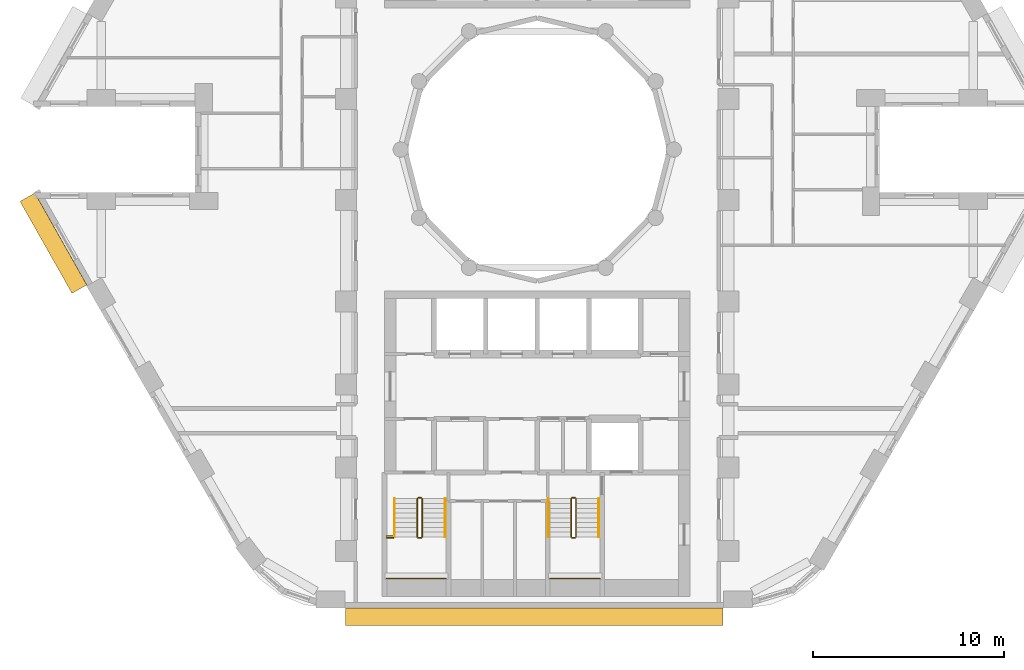
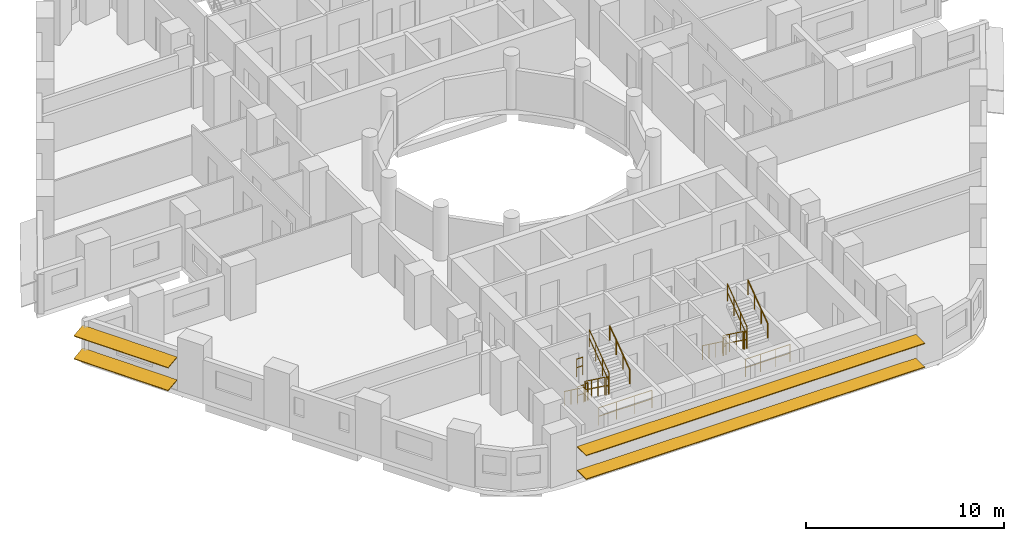
# One storey, part 11 of 13: 16 railings, 4 shading devices.
"""IFC4 building model written with IfcOpenShell, lengths in metres."""

from ifc_helpers import new_model, si_unit, direction, frame, origin, origin_2d, place, context, subcontext, project, spatial, rectangle, circle, extrude, material, material_profile, profile_set, type_object, element, save


model = new_model("IFC4")

# Units and contexts
model_context = context("Model", 3, precision=1e-05, world=origin(), true_north=direction((0.0, 1.0)))
body_context = subcontext(model_context, "Body", "Model", "MODEL_VIEW")
ifc_project = project(units=[si_unit("LENGTHUNIT", "METRE"), si_unit("AREAUNIT", "SQUARE_METRE"), si_unit("VOLUMEUNIT", "CUBIC_METRE"), si_unit("PLANEANGLEUNIT", "RADIAN"), si_unit("MASSUNIT", "GRAM", prefix="KILO")], contexts=[model_context])

# Site, building, storey
site_placement = place(None, origin())
site = spatial("IfcSite", under=ifc_project, at=site_placement, CompositionType="ELEMENT")
building_placement = place(site_placement, origin())
building = spatial("IfcBuilding", under=site, at=building_placement, Name="Nakaniwa Court", CompositionType="ELEMENT")
storey_placement = place(building_placement, frame((0.0, 0.0, 61.199951171875)))
storey = spatial("IfcBuildingStorey", under=building, at=storey_placement, Name="L16", CompositionType="ELEMENT", Elevation=61.199951171875)

# Shading devices
ifc_material_1 = material(Name="Perforated charcoal ceramic louvre blade")
ifc_material_profile = material_profile(ifc_material_1, rectangle(XDim=0.89990234375, YDim=0.050048828125, at=origin_2d()), Name="Perforated ceramic louvre blade")
ifc_profile_set = profile_set([ifc_material_profile], Name="Perforated charcoal ceramic louvre blade")
shading_device_type = type_object("IfcShadingDeviceType", Name="Perforated ceramic louvre blade", PredefinedType="JALOUSIE", material=ifc_profile_set)
for number, where, z_axis, x_axis, name in (
    (1, (53.31689453125, 77.508056640625, 0.550048828125), (0.492342539441, -0.870401530247, 0.0), (0.86275552304, 0.488017576221, 0.132256390257), "L16 perforated ceramic louvre blade w20 1"),
    (2, (53.31689453125, 77.508056640625, 1.955810546875), (0.492342539441, -0.870401530247, 0.0), (0.86275552304, 0.488017576221, 0.132256390257), "L16 perforated ceramic louvre blade w20 2"),
):
    element("IfcShadingDevice", number, at=place(storey_placement, frame(where, z_axis=z_axis, x_axis=x_axis)), inside=storey, type_object=shading_device_type, Name=name, PredefinedType="JALOUSIE", context=body_context, shape_type="SweptSolid", body=[
        extrude(rectangle(XDim=0.89990234375, YDim=0.050048828125, at=origin_2d()), origin(), (0.0, 0.0, 1.0), 5.526611328125),
    ])
for number, where, z_axis, x_axis, name in (
    (3, (69.97119140625, 55.550048828125, 0.550048828125), (1.0, 0.0, 0.0), (0.0, 1.0, 0.0), "L16 perforated ceramic louvre blade w26 1"),
    (4, (69.97119140625, 55.550048828125, 2.01513671875), (1.0, 0.0, 0.0), (0.0, 1.0, 0.0), "L16 perforated ceramic louvre blade w26 2"),
):
    element("IfcShadingDevice", number, at=place(storey_placement, frame(where, z_axis=z_axis, x_axis=x_axis)), inside=storey, type_object=shading_device_type, Name=name, PredefinedType="JALOUSIE", context=body_context, shape_type="SweptSolid", body=[
        extrude(rectangle(XDim=0.89990234375, YDim=0.050048828125, at=origin_2d()), origin(), (0.0, 0.0, 1.0), 19.739990234375),
    ])

# Railings
ifc_material_2 = material(Name="Black powder coated steel guard", Category="steel")
railing_type_1 = type_object("IfcRailingType", Name="Stair guard 1100", PredefinedType="GUARDRAIL", material=ifc_material_2)
railing_1_placement = place(storey_placement, frame((73.72509765625, 61.72509765625, 0.183349609375)))
element("IfcRailing", 5, at=railing_1_placement, inside=storey, type_object=railing_type_1, Name="L16 ST3 stair guard 1", PredefinedType="GUARDRAIL", context=body_context, shape_type="SweptSolid", body=[
    extrude(circle(Radius=0.02392578125, at=origin_2d()), frame((0.0, 0.0, 1.076171875), z_axis=(0.0, -0.806379959628, 0.591397802423), x_axis=(1.0, 0.0, 0.0)), (0.0, 0.0, 1.0), 2.480224609375),
    extrude(circle(Radius=0.02392578125, at=origin_2d()), frame((0.0, 0.0, 0.550048828125), z_axis=(0.0, -0.806379959628, 0.591397802423), x_axis=(1.0, 0.0, 0.0)), (0.0, 0.0, 1.0), 2.480224609375),
    extrude(circle(Radius=0.02099609375, at=origin_2d()), origin(), (0.0, 0.0, 1.0), 1.052001953125),
    extrude(circle(Radius=0.02099609375, at=origin_2d()), frame((0.0, -0.666748046875, 0.489013671875)), (0.0, 0.0, 1.0), 1.052001953125),
    extrude(circle(Radius=0.02099609375, at=origin_2d()), frame((0.0, -1.333251953125, 0.977783203125)), (0.0, 0.0, 1.0), 1.052001953125),
    extrude(circle(Radius=0.02099609375, at=origin_2d()), frame((0.0, -2.0, 1.466796875)), (0.0, 0.0, 1.0), 1.052001953125),
])
railing_2_placement = place(storey_placement, frame((73.77490234375, 59.675048828125, 1.650146484375)))
element("IfcRailing", 6, at=railing_2_placement, inside=storey, type_object=railing_type_1, Name="L16 ST3 stair guard 2", PredefinedType="GUARDRAIL", context=body_context, shape_type="SweptSolid", body=[
    extrude(circle(Radius=0.02392578125, at=origin_2d()), frame((0.0, 0.0, 1.076171875), z_axis=(1.0, 0.0, 0.0), x_axis=(0.0, 1.0, 0.0)), (0.0, 0.0, 1.0), 0.150146484375),
    extrude(circle(Radius=0.02392578125, at=origin_2d()), frame((0.0, 0.0, 0.550048828125), z_axis=(1.0, 0.0, 0.0), x_axis=(0.0, 1.0, 0.0)), (0.0, 0.0, 1.0), 0.150146484375),
    extrude(circle(Radius=0.02099609375, at=origin_2d()), origin(), (0.0, 0.0, 1.0), 1.052001953125),
    extrude(circle(Radius=0.02099609375, at=origin_2d()), frame((0.150146484375, 0.0, 0.0)), (0.0, 0.0, 1.0), 1.052001953125),
])
railing_3_placement = place(storey_placement, frame((73.97509765625, 59.72509765625, 1.83349609375)))
element("IfcRailing", 7, at=railing_3_placement, inside=storey, type_object=railing_type_1, Name="L16 ST3 stair guard 3", PredefinedType="GUARDRAIL", context=body_context, shape_type="SweptSolid", body=[
    extrude(circle(Radius=0.02392578125, at=origin_2d()), frame((0.0, 0.0, 1.076171875), z_axis=(0.0, 0.806426902644, 0.591333789573), x_axis=(-1.0, 0.0, 0.0)), (0.0, 0.0, 1.0), 2.47998046875),
    extrude(circle(Radius=0.02392578125, at=origin_2d()), frame((0.0, 0.0, 0.550048828125), z_axis=(0.0, 0.806426902644, 0.591333789573), x_axis=(-1.0, 0.0, 0.0)), (0.0, 0.0, 1.0), 2.47998046875),
    extrude(circle(Radius=0.02099609375, at=origin_2d()), origin(), (0.0, 0.0, 1.0), 1.052001953125),
    extrude(circle(Radius=0.02099609375, at=origin_2d()), frame((0.0, 0.666748046875, 0.48876953125)), (0.0, 0.0, 1.0), 1.052001953125),
    extrude(circle(Radius=0.02099609375, at=origin_2d()), frame((0.0, 1.333251953125, 0.977783203125)), (0.0, 0.0, 1.0), 1.052001953125),
    extrude(circle(Radius=0.02099609375, at=origin_2d()), frame((0.0, 2.0, 1.466552734375)), (0.0, 0.0, 1.0), 1.052001953125),
])
railing_4_placement = place(storey_placement, frame((73.77490234375, 61.77490234375, 0.0)))
element("IfcRailing", 8, at=railing_4_placement, inside=storey, type_object=railing_type_1, Name="L16 ST3 stair guard 4", PredefinedType="GUARDRAIL", context=body_context, shape_type="SweptSolid", body=[
    extrude(circle(Radius=0.02392578125, at=origin_2d()), frame((0.0, 0.0, 1.076171875), z_axis=(1.0, 0.0, 0.0), x_axis=(0.0, 1.0, 0.0)), (0.0, 0.0, 1.0), 0.150146484375),
    extrude(circle(Radius=0.02392578125, at=origin_2d()), frame((0.0, 0.0, 0.550048828125), z_axis=(1.0, 0.0, 0.0), x_axis=(0.0, 1.0, 0.0)), (0.0, 0.0, 1.0), 0.150146484375),
    extrude(circle(Radius=0.02099609375, at=origin_2d()), origin(), (0.0, 0.0, 1.0), 1.052001953125),
    extrude(circle(Radius=0.02099609375, at=origin_2d()), frame((0.150146484375, 0.0, 0.0)), (0.0, 0.0, 1.0), 1.052001953125),
])
railing_5_placement = place(storey_placement, frame((72.125, 57.550048828125, 1.650146484375)))
element("IfcRailing", 9, at=railing_5_placement, inside=storey, type_object=railing_type_1, Name="L16 ST3 landing end guard 1", PredefinedType="GUARDRAIL", context=body_context, shape_type="SweptSolid", body=[
    extrude(circle(Radius=0.02392578125, at=origin_2d()), frame((0.0, 0.0, 1.076171875), z_axis=(1.0, 0.0, 0.0), x_axis=(0.0, 1.0, 0.0)), (0.0, 0.0, 1.0), 3.10009765625),
    extrude(circle(Radius=0.02392578125, at=origin_2d()), frame((0.0, 0.0, 0.550048828125), z_axis=(1.0, 0.0, 0.0), x_axis=(0.0, 1.0, 0.0)), (0.0, 0.0, 1.0), 3.10009765625),
    extrude(circle(Radius=0.02099609375, at=origin_2d()), origin(), (0.0, 0.0, 1.0), 1.052001953125),
    extrude(circle(Radius=0.02099609375, at=origin_2d()), frame((1.033447265625, 0.0, 0.0)), (0.0, 0.0, 1.0), 1.052001953125),
    extrude(circle(Radius=0.02099609375, at=origin_2d()), frame((2.066650390625, 0.0, 0.0)), (0.0, 0.0, 1.0), 1.052001953125),
    extrude(circle(Radius=0.02099609375, at=origin_2d()), frame((3.10009765625, 0.0, 0.0)), (0.0, 0.0, 1.0), 1.052001953125),
])
for number, where, name in (
    (10, (72.125, 59.675048828125, 1.650146484375), "L16 ST3 landing side guard 1W"),
    (11, (72.125, 59.77490234375, 3.300048828125), "L16 ST3 floor edge guard 1W"),
):
    element("IfcRailing", number, at=place(storey_placement, frame(where)), inside=storey, type_object=railing_type_1, Name=name, PredefinedType="GUARDRAIL", context=body_context, shape_type="SweptSolid", body=[
        extrude(circle(Radius=0.02392578125, at=origin_2d()), frame((0.0, 0.0, 1.076171875), z_axis=(1.0, 0.0, 0.0), x_axis=(0.0, 1.0, 0.0)), (0.0, 0.0, 1.0), 0.35009765625),
        extrude(circle(Radius=0.02392578125, at=origin_2d()), frame((0.0, 0.0, 0.550048828125), z_axis=(1.0, 0.0, 0.0), x_axis=(0.0, 1.0, 0.0)), (0.0, 0.0, 1.0), 0.35009765625),
        extrude(circle(Radius=0.02099609375, at=origin_2d()), origin(), (0.0, 0.0, 1.0), 1.052001953125),
        extrude(circle(Radius=0.02099609375, at=origin_2d()), frame((0.35009765625, 0.0, 0.0)), (0.0, 0.0, 1.0), 1.052001953125),
    ])
railing_6_placement = place(storey_placement, frame((81.77490234375, 61.72509765625, 0.183349609375)))
element("IfcRailing", 12, at=railing_6_placement, inside=storey, type_object=railing_type_1, Name="L16 ST4 stair guard 1", PredefinedType="GUARDRAIL", context=body_context, shape_type="SweptSolid", body=[
    extrude(circle(Radius=0.02392578125, at=origin_2d()), frame((0.0, 0.0, 1.076171875), z_axis=(0.0, -0.806379959628, 0.591397802423), x_axis=(1.0, 0.0, 0.0)), (0.0, 0.0, 1.0), 2.480224609375),
    extrude(circle(Radius=0.02392578125, at=origin_2d()), frame((0.0, 0.0, 0.550048828125), z_axis=(0.0, -0.806379959628, 0.591397802423), x_axis=(1.0, 0.0, 0.0)), (0.0, 0.0, 1.0), 2.480224609375),
    extrude(circle(Radius=0.02099609375, at=origin_2d()), origin(), (0.0, 0.0, 1.0), 1.052001953125),
    extrude(circle(Radius=0.02099609375, at=origin_2d()), frame((0.0, -0.666748046875, 0.489013671875)), (0.0, 0.0, 1.0), 1.052001953125),
    extrude(circle(Radius=0.02099609375, at=origin_2d()), frame((0.0, -1.333251953125, 0.977783203125)), (0.0, 0.0, 1.0), 1.052001953125),
    extrude(circle(Radius=0.02099609375, at=origin_2d()), frame((0.0, -2.0, 1.466796875)), (0.0, 0.0, 1.0), 1.052001953125),
])
railing_7_placement = place(storey_placement, frame((81.824951171875, 59.675048828125, 1.650146484375)))
element("IfcRailing", 13, at=railing_7_placement, inside=storey, type_object=railing_type_1, Name="L16 ST4 stair guard 2", PredefinedType="GUARDRAIL", context=body_context, shape_type="SweptSolid", body=[
    extrude(circle(Radius=0.02392578125, at=origin_2d()), frame((0.0, 0.0, 1.076171875), z_axis=(1.0, 0.0, 0.0), x_axis=(0.0, 1.0, 0.0)), (0.0, 0.0, 1.0), 0.150146484375),
    extrude(circle(Radius=0.02392578125, at=origin_2d()), frame((0.0, 0.0, 0.550048828125), z_axis=(1.0, 0.0, 0.0), x_axis=(0.0, 1.0, 0.0)), (0.0, 0.0, 1.0), 0.150146484375),
    extrude(circle(Radius=0.02099609375, at=origin_2d()), origin(), (0.0, 0.0, 1.0), 1.052001953125),
    extrude(circle(Radius=0.02099609375, at=origin_2d()), frame((0.150146484375, 0.0, 0.0)), (0.0, 0.0, 1.0), 1.052001953125),
])
railing_8_placement = place(storey_placement, frame((82.02490234375, 59.72509765625, 1.83349609375)))
element("IfcRailing", 14, at=railing_8_placement, inside=storey, type_object=railing_type_1, Name="L16 ST4 stair guard 3", PredefinedType="GUARDRAIL", context=body_context, shape_type="SweptSolid", body=[
    extrude(circle(Radius=0.02392578125, at=origin_2d()), frame((0.0, 0.0, 1.076171875), z_axis=(0.0, 0.806426902644, 0.591333789573), x_axis=(-1.0, 0.0, 0.0)), (0.0, 0.0, 1.0), 2.47998046875),
    extrude(circle(Radius=0.02392578125, at=origin_2d()), frame((0.0, 0.0, 0.550048828125), z_axis=(0.0, 0.806426902644, 0.591333789573), x_axis=(-1.0, 0.0, 0.0)), (0.0, 0.0, 1.0), 2.47998046875),
    extrude(circle(Radius=0.02099609375, at=origin_2d()), origin(), (0.0, 0.0, 1.0), 1.052001953125),
    extrude(circle(Radius=0.02099609375, at=origin_2d()), frame((0.0, 0.666748046875, 0.48876953125)), (0.0, 0.0, 1.0), 1.052001953125),
    extrude(circle(Radius=0.02099609375, at=origin_2d()), frame((0.0, 1.333251953125, 0.977783203125)), (0.0, 0.0, 1.0), 1.052001953125),
    extrude(circle(Radius=0.02099609375, at=origin_2d()), frame((0.0, 2.0, 1.466552734375)), (0.0, 0.0, 1.0), 1.052001953125),
])
railing_9_placement = place(storey_placement, frame((81.824951171875, 61.77490234375, 0.0)))
element("IfcRailing", 15, at=railing_9_placement, inside=storey, type_object=railing_type_1, Name="L16 ST4 stair guard 4", PredefinedType="GUARDRAIL", context=body_context, shape_type="SweptSolid", body=[
    extrude(circle(Radius=0.02392578125, at=origin_2d()), frame((0.0, 0.0, 1.076171875), z_axis=(1.0, 0.0, 0.0), x_axis=(0.0, 1.0, 0.0)), (0.0, 0.0, 1.0), 0.150146484375),
    extrude(circle(Radius=0.02392578125, at=origin_2d()), frame((0.0, 0.0, 0.550048828125), z_axis=(1.0, 0.0, 0.0), x_axis=(0.0, 1.0, 0.0)), (0.0, 0.0, 1.0), 0.150146484375),
    extrude(circle(Radius=0.02099609375, at=origin_2d()), origin(), (0.0, 0.0, 1.0), 1.052001953125),
    extrude(circle(Radius=0.02099609375, at=origin_2d()), frame((0.150146484375, 0.0, 0.0)), (0.0, 0.0, 1.0), 1.052001953125),
])
railing_10_placement = place(storey_placement, frame((80.675048828125, 57.550048828125, 1.650146484375)))
element("IfcRailing", 16, at=railing_10_placement, inside=storey, type_object=railing_type_1, Name="L16 ST4 landing end guard 1", PredefinedType="GUARDRAIL", context=body_context, shape_type="SweptSolid", body=[
    extrude(circle(Radius=0.02392578125, at=origin_2d()), frame((0.0, 0.0, 1.076171875), z_axis=(1.0, 0.0, 0.0), x_axis=(0.0, 1.0, 0.0)), (0.0, 0.0, 1.0), 2.599853515625),
    extrude(circle(Radius=0.02392578125, at=origin_2d()), frame((0.0, 0.0, 0.550048828125), z_axis=(1.0, 0.0, 0.0), x_axis=(0.0, 1.0, 0.0)), (0.0, 0.0, 1.0), 2.599853515625),
    extrude(circle(Radius=0.02099609375, at=origin_2d()), origin(), (0.0, 0.0, 1.0), 1.052001953125),
    extrude(circle(Radius=0.02099609375, at=origin_2d()), frame((0.86669921875, 0.0, 0.0)), (0.0, 0.0, 1.0), 1.052001953125),
    extrude(circle(Radius=0.02099609375, at=origin_2d()), frame((1.733154296875, 0.0, 0.0)), (0.0, 0.0, 1.0), 1.052001953125),
    extrude(circle(Radius=0.02099609375, at=origin_2d()), frame((2.599853515625, 0.0, 0.0)), (0.0, 0.0, 1.0), 1.052001953125),
])
ifc_material_3 = material(Name="Black powder coated steel handrail", Category="steel")
railing_type_2 = type_object("IfcRailingType", Name="Stair handrail 900", PredefinedType="HANDRAIL", material=ifc_material_3)
railing_11_placement = place(storey_placement, frame((72.52490234375, 61.72509765625, 0.183349609375)))
element("IfcRailing", 17, at=railing_11_placement, inside=storey, type_object=railing_type_2, Name="L16 ST3 stair handrail 1", PredefinedType="HANDRAIL", context=body_context, shape_type="SweptSolid", body=[
    extrude(circle(Radius=0.02392578125, at=origin_2d()), frame((0.0, 0.0, 0.8759765625), z_axis=(0.0, -0.806379959628, 0.591397802423), x_axis=(1.0, 0.0, 0.0)), (0.0, 0.0, 1.0), 2.480224609375),
    extrude(circle(Radius=0.02099609375, at=origin_2d()), origin(), (0.0, 0.0, 1.0), 0.851806640625),
    extrude(circle(Radius=0.02099609375, at=origin_2d()), frame((0.0, -0.666748046875, 0.489013671875)), (0.0, 0.0, 1.0), 0.851806640625),
    extrude(circle(Radius=0.02099609375, at=origin_2d()), frame((0.0, -1.333251953125, 0.977783203125)), (0.0, 0.0, 1.0), 0.851806640625),
    extrude(circle(Radius=0.02099609375, at=origin_2d()), frame((0.0, -2.0, 1.466796875)), (0.0, 0.0, 1.0), 0.851806640625),
])
railing_12_placement = place(storey_placement, frame((75.175048828125, 59.72509765625, 1.83349609375)))
element("IfcRailing", 18, at=railing_12_placement, inside=storey, type_object=railing_type_2, Name="L16 ST3 stair handrail 2", PredefinedType="HANDRAIL", context=body_context, shape_type="SweptSolid", body=[
    extrude(circle(Radius=0.02392578125, at=origin_2d()), frame((0.0, 0.0, 0.8759765625), z_axis=(0.0, 0.806426902644, 0.591333789573), x_axis=(-1.0, 0.0, 0.0)), (0.0, 0.0, 1.0), 2.47998046875),
    extrude(circle(Radius=0.02099609375, at=origin_2d()), origin(), (0.0, 0.0, 1.0), 0.851806640625),
    extrude(circle(Radius=0.02099609375, at=origin_2d()), frame((0.0, 0.666748046875, 0.48876953125)), (0.0, 0.0, 1.0), 0.851806640625),
    extrude(circle(Radius=0.02099609375, at=origin_2d()), frame((0.0, 1.333251953125, 0.977783203125)), (0.0, 0.0, 1.0), 0.851806640625),
    extrude(circle(Radius=0.02099609375, at=origin_2d()), frame((0.0, 2.0, 1.466552734375)), (0.0, 0.0, 1.0), 0.851806640625),
])
railing_13_placement = place(storey_placement, frame((80.574951171875, 61.72509765625, 0.183349609375)))
element("IfcRailing", 19, at=railing_13_placement, inside=storey, type_object=railing_type_2, Name="L16 ST4 stair handrail 1", PredefinedType="HANDRAIL", context=body_context, shape_type="SweptSolid", body=[
    extrude(circle(Radius=0.02392578125, at=origin_2d()), frame((0.0, 0.0, 0.8759765625), z_axis=(0.0, -0.806379959628, 0.591397802423), x_axis=(1.0, 0.0, 0.0)), (0.0, 0.0, 1.0), 2.480224609375),
    extrude(circle(Radius=0.02099609375, at=origin_2d()), origin(), (0.0, 0.0, 1.0), 0.851806640625),
    extrude(circle(Radius=0.02099609375, at=origin_2d()), frame((0.0, -0.666748046875, 0.489013671875)), (0.0, 0.0, 1.0), 0.851806640625),
    extrude(circle(Radius=0.02099609375, at=origin_2d()), frame((0.0, -1.333251953125, 0.977783203125)), (0.0, 0.0, 1.0), 0.851806640625),
    extrude(circle(Radius=0.02099609375, at=origin_2d()), frame((0.0, -2.0, 1.466796875)), (0.0, 0.0, 1.0), 0.851806640625),
])
railing_14_placement = place(storey_placement, frame((83.22509765625, 59.72509765625, 1.83349609375)))
element("IfcRailing", 20, at=railing_14_placement, inside=storey, type_object=railing_type_2, Name="L16 ST4 stair handrail 2", PredefinedType="HANDRAIL", context=body_context, shape_type="SweptSolid", body=[
    extrude(circle(Radius=0.02392578125, at=origin_2d()), frame((0.0, 0.0, 0.8759765625), z_axis=(0.0, 0.806426902644, 0.591333789573), x_axis=(-1.0, 0.0, 0.0)), (0.0, 0.0, 1.0), 2.47998046875),
    extrude(circle(Radius=0.02099609375, at=origin_2d()), origin(), (0.0, 0.0, 1.0), 0.851806640625),
    extrude(circle(Radius=0.02099609375, at=origin_2d()), frame((0.0, 0.666748046875, 0.48876953125)), (0.0, 0.0, 1.0), 0.851806640625),
    extrude(circle(Radius=0.02099609375, at=origin_2d()), frame((0.0, 1.333251953125, 0.977783203125)), (0.0, 0.0, 1.0), 0.851806640625),
    extrude(circle(Radius=0.02099609375, at=origin_2d()), frame((0.0, 2.0, 1.466552734375)), (0.0, 0.0, 1.0), 0.851806640625),
])

save(model, "model.ifc")
